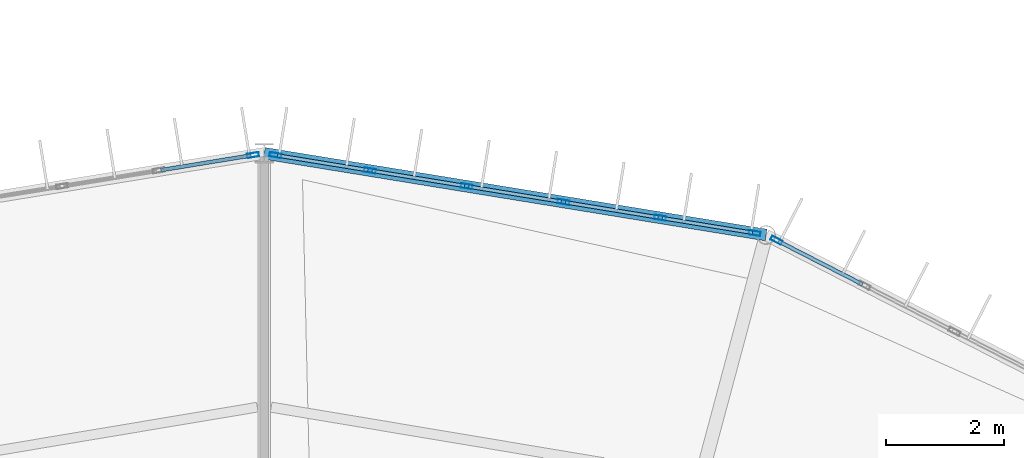
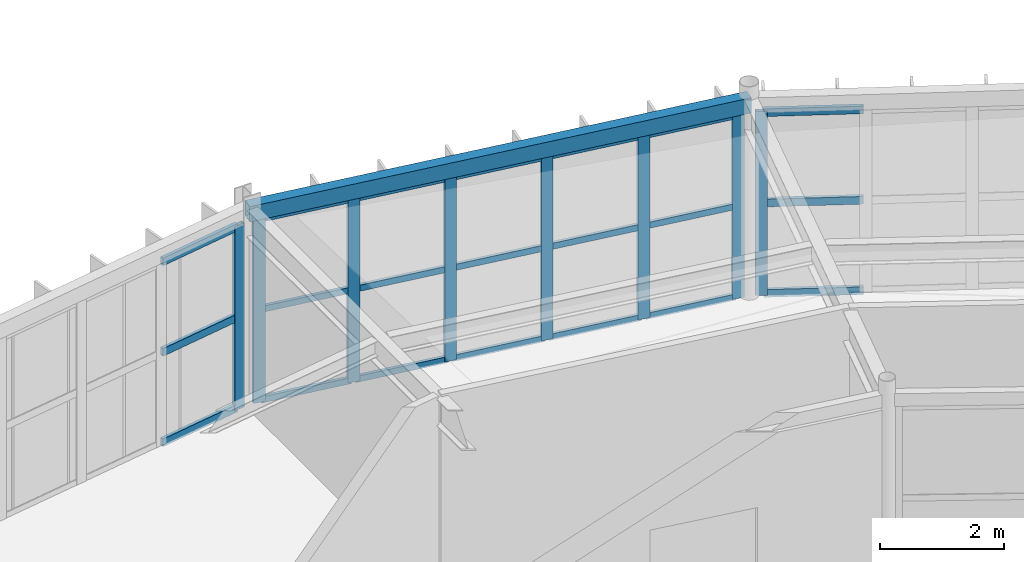
# One storey, part 88 of 148: 29 members, 1 beam, 3 elements without a shape of their own.
"""IFC4 building model written with IfcOpenShell, lengths in metres."""

from ifc_helpers import new_model, si_unit, direction, frame, origin, origin_2d, place, context, subcontext, project, spatial, hollow_rectangle, extrude, material, material_profile, profile_set, type_object, element, aggregate, save


model = new_model("IFC4")

# Units and contexts
model_context = context("Model", 3, precision=1e-05, world=origin(), true_north=direction((0.0, 1.0)))
body_context = subcontext(model_context, "Body", "Model", "MODEL_VIEW")
ifc_project = project(units=[si_unit("LENGTHUNIT", "METRE"), si_unit("AREAUNIT", "SQUARE_METRE"), si_unit("VOLUMEUNIT", "CUBIC_METRE"), si_unit("PLANEANGLEUNIT", "RADIAN"), si_unit("MASSUNIT", "GRAM", prefix="KILO")], contexts=[model_context])

# Site, building, storey
site_placement = place(None, origin())
site = spatial("IfcSite", under=ifc_project, at=site_placement, CompositionType="ELEMENT")
building_placement = place(site_placement, origin())
building = spatial("IfcBuilding", under=site, at=building_placement, Name="Karori Crest Natural Sciences Institute", CompositionType="ELEMENT")
storey_placement = place(building_placement, frame((0.0, 0.0, 4.89990234375)))
storey = spatial("IfcBuildingStorey", under=building, at=storey_placement, Name="L01", CompositionType="ELEMENT", Elevation=4.89990234375)

# Beam
ifc_material_1 = material(Name="Hollow structural steel AS/NZS 1163 Grade C350", Category="steel")
ifc_material_profile_1 = material_profile(ifc_material_1, hollow_rectangle(XDim=0.199951171875, YDim=0.300048828125, WallThickness=0.010009765625, at=origin_2d()), Name="RHS300x200x10")
ifc_profile_set_1 = profile_set([ifc_material_profile_1], Name="Hollow structural steel AS/NZS 1163 Grade C350")
beam_type = type_object("IfcBeamType", Name="BT-15", PredefinedType="SPANDREL", material=ifc_profile_set_1)
beam_placement = place(storey_placement, frame((74.94091796875, 89.309814453125, 3.7900390625), z_axis=(-0.987012055933, 0.160646199591, 0.0), x_axis=(-0.160646199591, -0.987012055933, 0.0)))
element("IfcBeam", 1, at=beam_placement, inside=storey, type_object=beam_type, Name="Beam B-0199", PredefinedType="SPANDREL", context=body_context, shape_type="SweptSolid", body=[
    extrude(hollow_rectangle(XDim=0.199951171875, YDim=0.300048828125, WallThickness=0.010009765625, at=origin_2d()), origin(), (0.0, 0.0, 1.0), 8.6533203125),
])

# Curtain wall, member
ifc_material_2 = material(Name="Anodised architectural aluminium 6063-T6", Category="aluminium")
curtain_wall_type_1 = type_object("IfcCurtainWallType", Name="CWT-05", PredefinedType="NOTDEFINED", material=ifc_material_2)
curtain_wall_1_placement = place(storey_placement, origin())
curtain_wall_1 = element("IfcCurtainWall", 2, at=curtain_wall_1_placement, inside=storey, type_object=curtain_wall_type_1, Name="Curtain wall CW-0036", PredefinedType="NOTDEFINED")
ifc_material_profile_2 = material_profile(ifc_material_2, hollow_rectangle(XDim=0.074951171875, YDim=0.199951171875, WallThickness=0.0048828125, at=origin_2d()), Name="CWM200x75x5")
ifc_profile_set_2 = profile_set([ifc_material_profile_2], Name="Anodised architectural aluminium 6063-T6")
member_type_1 = type_object("IfcMemberType", Name="CWM-02", PredefinedType="MULLION", material=ifc_profile_set_2)
member_1_placement = place(storey_placement, frame((75.11669921875, 89.2197265625, 0.0), z_axis=(0.0, 0.0, 1.0), x_axis=(0.455832988828, 0.890065326982, 0.0)))
member_1 = element("IfcMember", 3, at=member_1_placement, type_object=member_type_1, Name="CW-0036 mullion 1", PredefinedType="MULLION", context=body_context, shape_type="SweptSolid", body=[
    extrude(hollow_rectangle(XDim=0.074951171875, YDim=0.199951171875, WallThickness=0.0048828125, at=origin_2d()), origin(), (0.0, 0.0, 1.0), 3.625),
])

# Curtain wall, members
curtain_wall_type_2 = type_object("IfcCurtainWallType", Name="CWT-06", PredefinedType="NOTDEFINED", material=ifc_material_2)
curtain_wall_2_placement = place(storey_placement, origin())
curtain_wall_2 = element("IfcCurtainWall", 4, at=curtain_wall_2_placement, inside=storey, type_object=curtain_wall_type_2, Name="Curtain wall CW-0038", PredefinedType="NOTDEFINED")
member_2_placement = place(storey_placement, frame((66.590576171875, 90.6689453125, 0.0), z_axis=(0.0, 0.0, 1.0), x_axis=(0.160651962718, 0.987011117908, 0.0)))
member_2 = element("IfcMember", 5, at=member_2_placement, type_object=member_type_1, Name="CW-0038 mullion 1", PredefinedType="MULLION", context=body_context, shape_type="SweptSolid", body=[
    extrude(hollow_rectangle(XDim=0.074951171875, YDim=0.199951171875, WallThickness=0.0048828125, at=origin_2d()), origin(), (0.0, 0.0, 1.0), 3.625),
])
member_3_placement = place(storey_placement, frame((68.199462890625, 90.406982421875, 0.0), z_axis=(0.0, 0.0, 1.0), x_axis=(0.160651962718, 0.987011117908, 0.0)))
member_3 = element("IfcMember", 6, at=member_3_placement, type_object=member_type_1, Name="CW-0038 mullion 2", PredefinedType="MULLION", context=body_context, shape_type="SweptSolid", body=[
    extrude(hollow_rectangle(XDim=0.074951171875, YDim=0.199951171875, WallThickness=0.0048828125, at=origin_2d()), origin(), (0.0, 0.0, 1.0), 3.625),
])
member_4_placement = place(storey_placement, frame((69.845458984375, 90.13916015625, 0.0), z_axis=(0.0, 0.0, 1.0), x_axis=(0.160651962718, 0.987011117908, 0.0)))
member_4 = element("IfcMember", 7, at=member_4_placement, type_object=member_type_1, Name="CW-0038 mullion 3", PredefinedType="MULLION", context=body_context, shape_type="SweptSolid", body=[
    extrude(hollow_rectangle(XDim=0.074951171875, YDim=0.199951171875, WallThickness=0.0048828125, at=origin_2d()), origin(), (0.0, 0.0, 1.0), 3.625),
])
member_5_placement = place(storey_placement, frame((71.4912109375, 89.871337890625, 0.0), z_axis=(0.0, 0.0, 1.0), x_axis=(0.160651962718, 0.987011117908, 0.0)))
member_5 = element("IfcMember", 8, at=member_5_placement, type_object=member_type_1, Name="CW-0038 mullion 4", PredefinedType="MULLION", context=body_context, shape_type="SweptSolid", body=[
    extrude(hollow_rectangle(XDim=0.074951171875, YDim=0.199951171875, WallThickness=0.0048828125, at=origin_2d()), origin(), (0.0, 0.0, 1.0), 3.625),
])
member_6_placement = place(storey_placement, frame((73.13720703125, 89.603515625, 0.0), z_axis=(0.0, 0.0, 1.0), x_axis=(0.160651962718, 0.987011117908, 0.0)))
member_6 = element("IfcMember", 9, at=member_6_placement, type_object=member_type_1, Name="CW-0038 mullion 5", PredefinedType="MULLION", context=body_context, shape_type="SweptSolid", body=[
    extrude(hollow_rectangle(XDim=0.074951171875, YDim=0.199951171875, WallThickness=0.0048828125, at=origin_2d()), origin(), (0.0, 0.0, 1.0), 3.625),
])
member_7_placement = place(storey_placement, frame((74.74609375, 89.341552734375, 0.0), z_axis=(0.0, 0.0, 1.0), x_axis=(0.160651962718, 0.987011117908, 0.0)))
member_7 = element("IfcMember", 10, at=member_7_placement, type_object=member_type_1, Name="CW-0038 mullion 6", PredefinedType="MULLION", context=body_context, shape_type="SweptSolid", body=[
    extrude(hollow_rectangle(XDim=0.074951171875, YDim=0.199951171875, WallThickness=0.0048828125, at=origin_2d()), origin(), (0.0, 0.0, 1.0), 3.625),
])

# Curtain wall, member
curtain_wall_type_3 = type_object("IfcCurtainWallType", Name="CWT-07", PredefinedType="NOTDEFINED", material=ifc_material_2)
curtain_wall_3_placement = place(storey_placement, origin())
curtain_wall_3 = element("IfcCurtainWall", 11, at=curtain_wall_3_placement, inside=storey, type_object=curtain_wall_type_3, Name="Curtain wall CW-0039", PredefinedType="NOTDEFINED")
member_8_placement = place(storey_placement, frame((66.20947265625, 90.6689453125, 0.0), z_axis=(0.0, 0.0, 1.0), x_axis=(-0.1606565458, 0.987010371927, 0.0)))
member_8 = element("IfcMember", 12, at=member_8_placement, type_object=member_type_1, Name="CW-0039 mullion 6", PredefinedType="MULLION", context=body_context, shape_type="SweptSolid", body=[
    extrude(hollow_rectangle(XDim=0.074951171875, YDim=0.199951171875, WallThickness=0.0048828125, at=origin_2d()), origin(), (0.0, 0.0, 1.0), 3.625),
])

# Member
ifc_material_profile_3 = material_profile(ifc_material_2, hollow_rectangle(XDim=0.06005859375, YDim=0.1201171875, WallThickness=0.00390625, at=origin_2d()), Name="CWT120x60x4")
ifc_profile_set_3 = profile_set([ifc_material_profile_3], Name="Anodised architectural aluminium 6063-T6")
member_type_2 = type_object("IfcMemberType", Name="CWT-TR1", PredefinedType="USERDEFINED", material=ifc_profile_set_3)
member_9_placement = place(storey_placement, frame((66.62744140625, 90.662841796875, 0.030029296875), z_axis=(0.987018847507, -0.160604466518, 0.0), x_axis=(0.160604466518, 0.987018847507, 0.0)))
member_9 = element("IfcMember", 13, at=member_9_placement, type_object=member_type_2, Name="CW-0038 transom 1.1", ObjectType="TRANSOM", PredefinedType="USERDEFINED", context=body_context, shape_type="SweptSolid", body=[
    extrude(hollow_rectangle(XDim=0.06005859375, YDim=0.1201171875, WallThickness=0.00390625, at=origin_2d()), origin(), (0.0, 0.0, 1.0), 1.55517578125),
])

member_10_placement = place(storey_placement, frame((66.62744140625, 90.662841796875, 1.8125), z_axis=(0.987018847507, -0.160604466518, 0.0), x_axis=(0.160604466518, 0.987018847507, 0.0)))
member_10 = element("IfcMember", 14, at=member_10_placement, type_object=member_type_2, Name="CW-0038 transom 1.2", ObjectType="TRANSOM", PredefinedType="USERDEFINED", context=body_context, shape_type="SweptSolid", body=[
    extrude(hollow_rectangle(XDim=0.06005859375, YDim=0.1201171875, WallThickness=0.00390625, at=origin_2d()), origin(), (0.0, 0.0, 1.0), 1.55517578125),
])

member_11_placement = place(storey_placement, frame((66.62744140625, 90.662841796875, 3.59521484375), z_axis=(0.987018847507, -0.160604466518, 0.0), x_axis=(0.160604466518, 0.987018847507, 0.0)))
member_11 = element("IfcMember", 15, at=member_11_placement, type_object=member_type_2, Name="CW-0038 transom 1.3", ObjectType="TRANSOM", PredefinedType="USERDEFINED", context=body_context, shape_type="SweptSolid", body=[
    extrude(hollow_rectangle(XDim=0.06005859375, YDim=0.1201171875, WallThickness=0.00390625, at=origin_2d()), origin(), (0.0, 0.0, 1.0), 1.55517578125),
])

member_12_placement = place(storey_placement, frame((68.236328125, 90.401123046875, 0.030029296875), z_axis=(0.987012357452, -0.160644347043, 0.0), x_axis=(0.160644347043, 0.987012357452, 0.0)))
member_12 = element("IfcMember", 16, at=member_12_placement, type_object=member_type_2, Name="CW-0038 transom 2.1", ObjectType="TRANSOM", PredefinedType="USERDEFINED", context=body_context, shape_type="SweptSolid", body=[
    extrude(hollow_rectangle(XDim=0.06005859375, YDim=0.1201171875, WallThickness=0.00390625, at=origin_2d()), origin(), (0.0, 0.0, 1.0), 1.5927734375),
])

member_13_placement = place(storey_placement, frame((68.236328125, 90.401123046875, 1.8125), z_axis=(0.987012357452, -0.160644347043, 0.0), x_axis=(0.160644347043, 0.987012357452, 0.0)))
member_13 = element("IfcMember", 17, at=member_13_placement, type_object=member_type_2, Name="CW-0038 transom 2.2", ObjectType="TRANSOM", PredefinedType="USERDEFINED", context=body_context, shape_type="SweptSolid", body=[
    extrude(hollow_rectangle(XDim=0.06005859375, YDim=0.1201171875, WallThickness=0.00390625, at=origin_2d()), origin(), (0.0, 0.0, 1.0), 1.5927734375),
])

member_14_placement = place(storey_placement, frame((68.236328125, 90.401123046875, 3.59521484375), z_axis=(0.987012357452, -0.160644347043, 0.0), x_axis=(0.160644347043, 0.987012357452, 0.0)))
member_14 = element("IfcMember", 18, at=member_14_placement, type_object=member_type_2, Name="CW-0038 transom 2.3", ObjectType="TRANSOM", PredefinedType="USERDEFINED", context=body_context, shape_type="SweptSolid", body=[
    extrude(hollow_rectangle(XDim=0.06005859375, YDim=0.1201171875, WallThickness=0.00390625, at=origin_2d()), origin(), (0.0, 0.0, 1.0), 1.5927734375),
])

member_15_placement = place(storey_placement, frame((69.88232421875, 90.133056640625, 0.030029296875), z_axis=(0.987036651562, -0.160495010745, 0.0), x_axis=(0.160495010745, 0.987036651562, 0.0)))
member_15 = element("IfcMember", 19, at=member_15_placement, type_object=member_type_2, Name="CW-0038 transom 3.1", ObjectType="TRANSOM", PredefinedType="USERDEFINED", context=body_context, shape_type="SweptSolid", body=[
    extrude(hollow_rectangle(XDim=0.06005859375, YDim=0.1201171875, WallThickness=0.00390625, at=origin_2d()), origin(), (0.0, 0.0, 1.0), 1.5927734375),
])

member_16_placement = place(storey_placement, frame((69.88232421875, 90.133056640625, 1.8125), z_axis=(0.987036651562, -0.160495010745, 0.0), x_axis=(0.160495010745, 0.987036651562, 0.0)))
member_16 = element("IfcMember", 20, at=member_16_placement, type_object=member_type_2, Name="CW-0038 transom 3.2", ObjectType="TRANSOM", PredefinedType="USERDEFINED", context=body_context, shape_type="SweptSolid", body=[
    extrude(hollow_rectangle(XDim=0.06005859375, YDim=0.1201171875, WallThickness=0.00390625, at=origin_2d()), origin(), (0.0, 0.0, 1.0), 1.5927734375),
])

member_17_placement = place(storey_placement, frame((69.88232421875, 90.133056640625, 3.59521484375), z_axis=(0.987036651562, -0.160495010745, 0.0), x_axis=(0.160495010745, 0.987036651562, 0.0)))
member_17 = element("IfcMember", 21, at=member_17_placement, type_object=member_type_2, Name="CW-0038 transom 3.3", ObjectType="TRANSOM", PredefinedType="USERDEFINED", context=body_context, shape_type="SweptSolid", body=[
    extrude(hollow_rectangle(XDim=0.06005859375, YDim=0.1201171875, WallThickness=0.00390625, at=origin_2d()), origin(), (0.0, 0.0, 1.0), 1.5927734375),
])

member_18_placement = place(storey_placement, frame((71.5283203125, 89.865234375, 0.030029296875), z_axis=(0.987008400747, -0.16066865548, 0.0), x_axis=(0.16066865548, 0.987008400747, 0.0)))
member_18 = element("IfcMember", 22, at=member_18_placement, type_object=member_type_2, Name="CW-0038 transom 4.1", ObjectType="TRANSOM", PredefinedType="USERDEFINED", context=body_context, shape_type="SweptSolid", body=[
    extrude(hollow_rectangle(XDim=0.06005859375, YDim=0.1201171875, WallThickness=0.00390625, at=origin_2d()), origin(), (0.0, 0.0, 1.0), 1.592529296875),
])

member_19_placement = place(storey_placement, frame((71.5283203125, 89.865234375, 1.8125), z_axis=(0.987008400747, -0.16066865548, 0.0), x_axis=(0.16066865548, 0.987008400747, 0.0)))
member_19 = element("IfcMember", 23, at=member_19_placement, type_object=member_type_2, Name="CW-0038 transom 4.2", ObjectType="TRANSOM", PredefinedType="USERDEFINED", context=body_context, shape_type="SweptSolid", body=[
    extrude(hollow_rectangle(XDim=0.06005859375, YDim=0.1201171875, WallThickness=0.00390625, at=origin_2d()), origin(), (0.0, 0.0, 1.0), 1.592529296875),
])

member_20_placement = place(storey_placement, frame((71.5283203125, 89.865234375, 3.59521484375), z_axis=(0.987008400747, -0.16066865548, 0.0), x_axis=(0.16066865548, 0.987008400747, 0.0)))
member_20 = element("IfcMember", 24, at=member_20_placement, type_object=member_type_2, Name="CW-0038 transom 4.3", ObjectType="TRANSOM", PredefinedType="USERDEFINED", context=body_context, shape_type="SweptSolid", body=[
    extrude(hollow_rectangle(XDim=0.06005859375, YDim=0.1201171875, WallThickness=0.00390625, at=origin_2d()), origin(), (0.0, 0.0, 1.0), 1.592529296875),
])

member_21_placement = place(storey_placement, frame((73.174072265625, 89.597412109375, 0.030029296875), z_axis=(0.987018847507, -0.160604466518, 0.0), x_axis=(0.160604466518, 0.987018847507, 0.0)))
member_21 = element("IfcMember", 25, at=member_21_placement, type_object=member_type_2, Name="CW-0038 transom 5.1", ObjectType="TRANSOM", PredefinedType="USERDEFINED", context=body_context, shape_type="SweptSolid", body=[
    extrude(hollow_rectangle(XDim=0.06005859375, YDim=0.1201171875, WallThickness=0.00390625, at=origin_2d()), origin(), (0.0, 0.0, 1.0), 1.55517578125),
])

member_22_placement = place(storey_placement, frame((73.174072265625, 89.597412109375, 1.8125), z_axis=(0.987018847507, -0.160604466518, 0.0), x_axis=(0.160604466518, 0.987018847507, 0.0)))
member_22 = element("IfcMember", 26, at=member_22_placement, type_object=member_type_2, Name="CW-0038 transom 5.2", ObjectType="TRANSOM", PredefinedType="USERDEFINED", context=body_context, shape_type="SweptSolid", body=[
    extrude(hollow_rectangle(XDim=0.06005859375, YDim=0.1201171875, WallThickness=0.00390625, at=origin_2d()), origin(), (0.0, 0.0, 1.0), 1.55517578125),
])

member_23_placement = place(storey_placement, frame((73.174072265625, 89.597412109375, 3.59521484375), z_axis=(0.987018847507, -0.160604466518, 0.0), x_axis=(0.160604466518, 0.987018847507, 0.0)))
member_23 = element("IfcMember", 27, at=member_23_placement, type_object=member_type_2, Name="CW-0038 transom 5.3", ObjectType="TRANSOM", PredefinedType="USERDEFINED", context=body_context, shape_type="SweptSolid", body=[
    extrude(hollow_rectangle(XDim=0.06005859375, YDim=0.1201171875, WallThickness=0.00390625, at=origin_2d()), origin(), (0.0, 0.0, 1.0), 1.55517578125),
])

aggregate(curtain_wall_2, [member_2, member_3, member_4, member_5, member_6, member_7, member_9, member_10, member_11, member_12, member_13, member_14, member_15, member_16, member_17, member_18, member_19, member_20, member_21, member_22, member_23])

ifc_material_profile_4 = material_profile(ifc_material_2, hollow_rectangle(XDim=0.06494140625, YDim=0.14990234375, WallThickness=0.00390625, at=origin_2d()), Name="CWT150x65x4")
ifc_profile_set_4 = profile_set([ifc_material_profile_4], Name="Anodised architectural aluminium 6063-T6")
member_type_3 = type_object("IfcMemberType", Name="CWT-TR2", PredefinedType="USERDEFINED", material=ifc_profile_set_4)
member_24_placement = place(storey_placement, frame((75.150146484375, 89.20263671875, 0.03271484375), z_axis=(0.890106437129, -0.455752707706, 0.0), x_axis=(0.455752707706, 0.890106437129, 0.0)))
member_24 = element("IfcMember", 28, at=member_24_placement, type_object=member_type_3, Name="CW-0036 transom 1.1", ObjectType="TRANSOM", PredefinedType="USERDEFINED", context=body_context, shape_type="SweptSolid", body=[
    extrude(hollow_rectangle(XDim=0.06494140625, YDim=0.14990234375, WallThickness=0.00390625, at=origin_2d()), origin(), (0.0, 0.0, 1.0), 1.608642578125),
])

member_25_placement = place(storey_placement, frame((75.150146484375, 89.20263671875, 1.8125), z_axis=(0.890106437129, -0.455752707706, 0.0), x_axis=(0.455752707706, 0.890106437129, 0.0)))
member_25 = element("IfcMember", 29, at=member_25_placement, type_object=member_type_3, Name="CW-0036 transom 1.2", ObjectType="TRANSOM", PredefinedType="USERDEFINED", context=body_context, shape_type="SweptSolid", body=[
    extrude(hollow_rectangle(XDim=0.06494140625, YDim=0.14990234375, WallThickness=0.00390625, at=origin_2d()), origin(), (0.0, 0.0, 1.0), 1.608642578125),
])

member_26_placement = place(storey_placement, frame((75.150146484375, 89.20263671875, 3.592529296875), z_axis=(0.890106437129, -0.455752707706, 0.0), x_axis=(0.455752707706, 0.890106437129, 0.0)))
member_26 = element("IfcMember", 30, at=member_26_placement, type_object=member_type_3, Name="CW-0036 transom 1.3", ObjectType="TRANSOM", PredefinedType="USERDEFINED", context=body_context, shape_type="SweptSolid", body=[
    extrude(hollow_rectangle(XDim=0.06494140625, YDim=0.14990234375, WallThickness=0.00390625, at=origin_2d()), origin(), (0.0, 0.0, 1.0), 1.608642578125),
])

aggregate(curtain_wall_1, [member_1, member_24, member_25, member_26])

member_27_placement = place(storey_placement, frame((64.640625, 90.41357421875, 0.03271484375), z_axis=(0.987015971558, 0.160622140096, 0.0), x_axis=(-0.160622140096, 0.987015971558, 0.0)))
member_27 = element("IfcMember", 31, at=member_27_placement, type_object=member_type_3, Name="CW-0039 transom 5.1", ObjectType="TRANSOM", PredefinedType="USERDEFINED", context=body_context, shape_type="SweptSolid", body=[
    extrude(hollow_rectangle(XDim=0.06494140625, YDim=0.14990234375, WallThickness=0.00390625, at=origin_2d()), origin(), (0.0, 0.0, 1.0), 1.552001953125),
])

member_28_placement = place(storey_placement, frame((64.640625, 90.41357421875, 1.8125), z_axis=(0.987015971558, 0.160622140096, 0.0), x_axis=(-0.160622140096, 0.987015971558, 0.0)))
member_28 = element("IfcMember", 32, at=member_28_placement, type_object=member_type_3, Name="CW-0039 transom 5.2", ObjectType="TRANSOM", PredefinedType="USERDEFINED", context=body_context, shape_type="SweptSolid", body=[
    extrude(hollow_rectangle(XDim=0.06494140625, YDim=0.14990234375, WallThickness=0.00390625, at=origin_2d()), origin(), (0.0, 0.0, 1.0), 1.552001953125),
])

member_29_placement = place(storey_placement, frame((64.640625, 90.41357421875, 3.592529296875), z_axis=(0.987015971558, 0.160622140096, 0.0), x_axis=(-0.160622140096, 0.987015971558, 0.0)))
member_29 = element("IfcMember", 33, at=member_29_placement, type_object=member_type_3, Name="CW-0039 transom 5.3", ObjectType="TRANSOM", PredefinedType="USERDEFINED", context=body_context, shape_type="SweptSolid", body=[
    extrude(hollow_rectangle(XDim=0.06494140625, YDim=0.14990234375, WallThickness=0.00390625, at=origin_2d()), origin(), (0.0, 0.0, 1.0), 1.552001953125),
])

aggregate(curtain_wall_3, [member_8, member_27, member_28, member_29])

save(model, "model.ifc")
